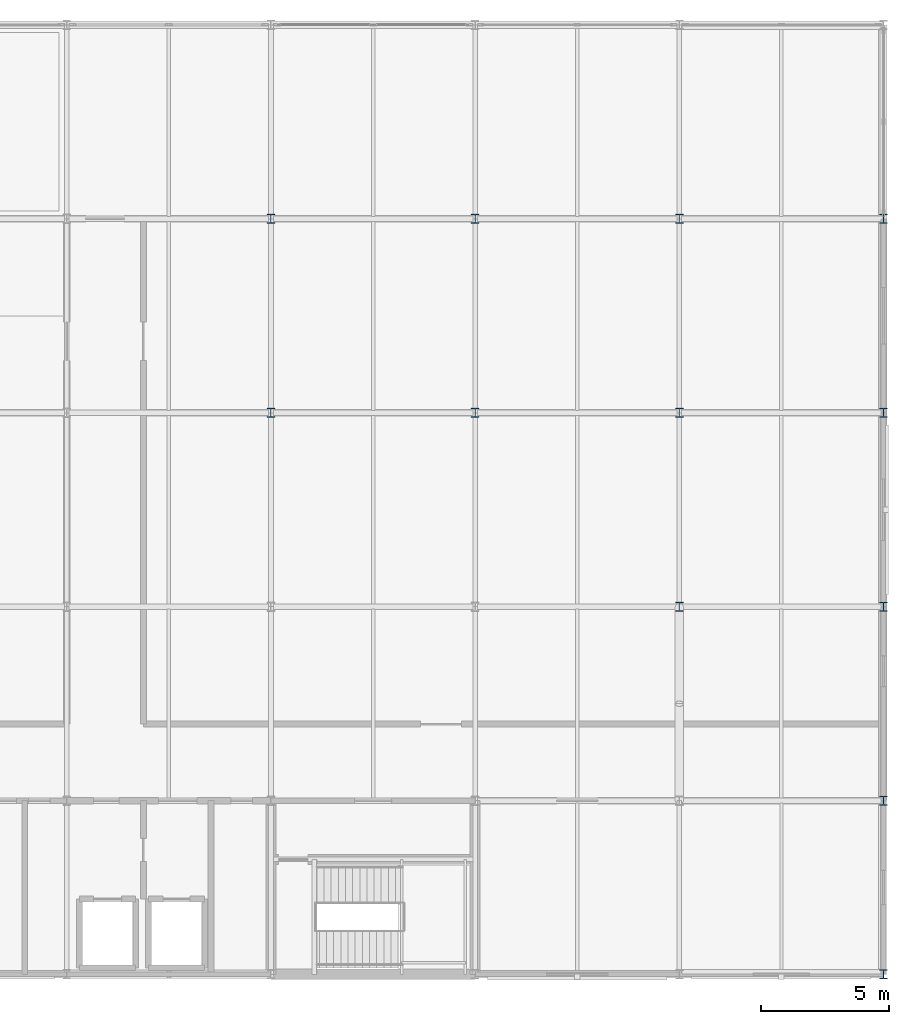
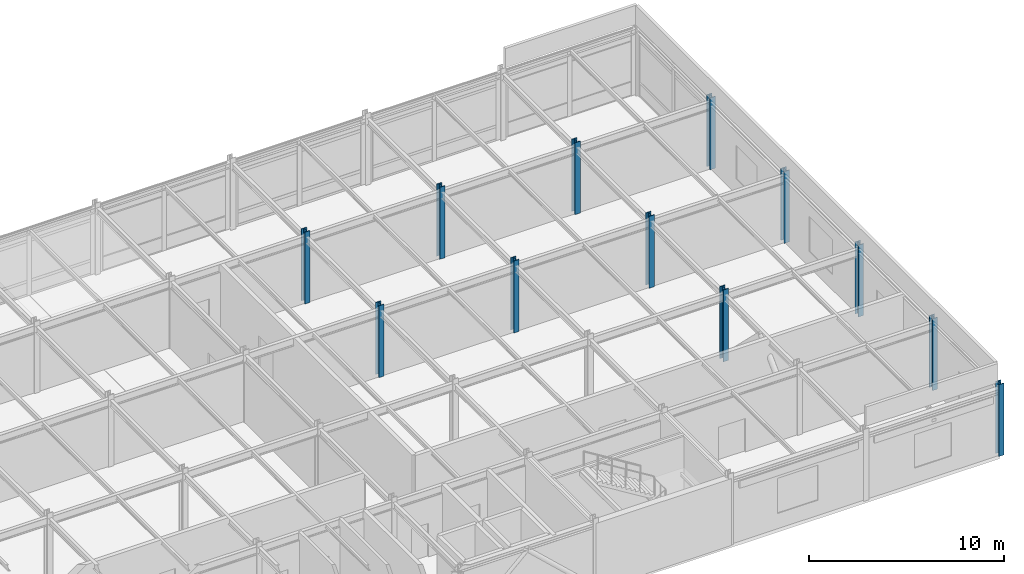
# One storey, part 2 of 16: 12 columns.
"""IFC4 building model written with IfcOpenShell, lengths in metres."""

from ifc_helpers import new_model, si_unit, direction, frame, origin, origin_2d, place, context, subcontext, project, spatial, i_section, extrude, material, material_profile, profile_set, type_object, element, save


model = new_model("IFC4")

# Units and contexts
model_context = context("Model", 3, precision=1e-05, world=origin(), true_north=direction((0.0, 1.0)))
body_context = subcontext(model_context, "Body", "Model", "MODEL_VIEW")
ifc_project = project(units=[si_unit("LENGTHUNIT", "METRE"), si_unit("AREAUNIT", "SQUARE_METRE"), si_unit("VOLUMEUNIT", "CUBIC_METRE"), si_unit("PLANEANGLEUNIT", "RADIAN"), si_unit("MASSUNIT", "GRAM", prefix="KILO")], contexts=[model_context])

# Site, building, storey
site_placement = place(None, origin())
site = spatial("IfcSite", under=ifc_project, at=site_placement, CompositionType="ELEMENT")
building_placement = place(site_placement, origin())
building = spatial("IfcBuilding", under=site, at=building_placement, Name="Shalkamar Park Central Library", CompositionType="ELEMENT")
storey_placement = place(building_placement, frame((0.0, 0.0, 51.60009765625)))
storey = spatial("IfcBuildingStorey", under=building, at=storey_placement, Name="L13", CompositionType="ELEMENT", Elevation=51.60009765625)

# Columns
ifc_material = material(Name="Steel S355", Category="steel")
ifc_material_profile_1 = material_profile(ifc_material, i_section(OverallWidth=0.30908203125, OverallDepth=0.35888671875, WebThickness=0.02099609375, FlangeThickness=0.0400390625, FilletRadius=0.027099609375, at=origin_2d()), Name="HEM 320")
ifc_profile_set_1 = profile_set([ifc_material_profile_1], Name="Steel S355")
column_type_1 = type_object("IfcColumnType", Name="Column Steel HEM320", PredefinedType="COLUMN", material=ifc_profile_set_1)
for number, where, z_axis, x_axis, name in (
    (1, (205.0, 270.39990234375, 0.0), (0.0, 0.0, 1.0), (1.0, 0.0, 0.0), "Column 12/E (L13)"),
    (2, (205.0, 278.0, 0.0), (0.0, 0.0, 1.0), (1.0, 0.0, 0.0), "Column 12/F (L13)"),
    (3, (221.0, 248.39990234375, 0.0), (0.0, 0.0, 1.0), (1.0, 0.0, 0.0), "Column 14/B (L13)"),
    (4, (221.0, 255.199951171875, 0.0), (0.0, 0.0, 1.0), (1.0, 0.0, 0.0), "Column 14/C (L13)"),
    (5, (221.0, 262.800048828125, 0.0), (0.0, 0.0, 1.0), (1.0, 0.0, 0.0), "Column 14/D (L13)"),
    (6, (221.0, 270.39990234375, 0.0), (0.0, 0.0, 1.0), (1.0, 0.0, 0.0), "Column 14/E (L13)"),
    (7, (221.0, 278.0, 0.0), (0.0, 0.0, 1.0), (1.0, 0.0, 0.0), "Column 14/F (L13)"),
):
    element("IfcColumn", number, at=place(storey_placement, frame(where, z_axis=z_axis, x_axis=x_axis)), inside=storey, type_object=column_type_1, Name=name, PredefinedType="COLUMN", context=body_context, shape_type="SweptSolid", body=[
        extrude(i_section(OverallWidth=0.30908203125, OverallDepth=0.35888671875, WebThickness=0.02099609375, FlangeThickness=0.0400390625, FilletRadius=0.027099609375, at=origin_2d()), origin(), (0.0, 0.0, 1.0), 4.5),
    ])
ifc_material_profile_2 = material_profile(ifc_material, i_section(OverallWidth=0.30908203125, OverallDepth=0.376953125, WebThickness=0.02099609375, FlangeThickness=0.0400390625, FilletRadius=0.027099609375, at=origin_2d()), Name="HEM 340")
ifc_profile_set_2 = profile_set([ifc_material_profile_2], Name="Steel S355")
column_type_2 = type_object("IfcColumnType", Name="Column Steel HEM340", PredefinedType="COLUMN", material=ifc_profile_set_2)
for number, where, z_axis, x_axis, name in (
    (8, (197.0, 270.39990234375, 0.0), (0.0, 0.0, 1.0), (1.0, 0.0, 0.0), "Column 11/E (L13)"),
    (9, (197.0, 278.0, 0.0), (0.0, 0.0, 1.0), (1.0, 0.0, 0.0), "Column 11/F (L13)"),
    (10, (213.0, 262.800048828125, 0.0), (0.0, 0.0, 1.0), (1.0, 0.0, 0.0), "Column 13/D (L13)"),
    (11, (213.0, 270.39990234375, 0.0), (0.0, 0.0, 1.0), (1.0, 0.0, 0.0), "Column 13/E (L13)"),
    (12, (213.0, 278.0, 0.0), (0.0, 0.0, 1.0), (1.0, 0.0, 0.0), "Column 13/F (L13)"),
):
    element("IfcColumn", number, at=place(storey_placement, frame(where, z_axis=z_axis, x_axis=x_axis)), inside=storey, type_object=column_type_2, Name=name, PredefinedType="COLUMN", context=body_context, shape_type="SweptSolid", body=[
        extrude(i_section(OverallWidth=0.30908203125, OverallDepth=0.376953125, WebThickness=0.02099609375, FlangeThickness=0.0400390625, FilletRadius=0.027099609375, at=origin_2d()), origin(), (0.0, 0.0, 1.0), 4.5),
    ])

save(model, "model.ifc")
